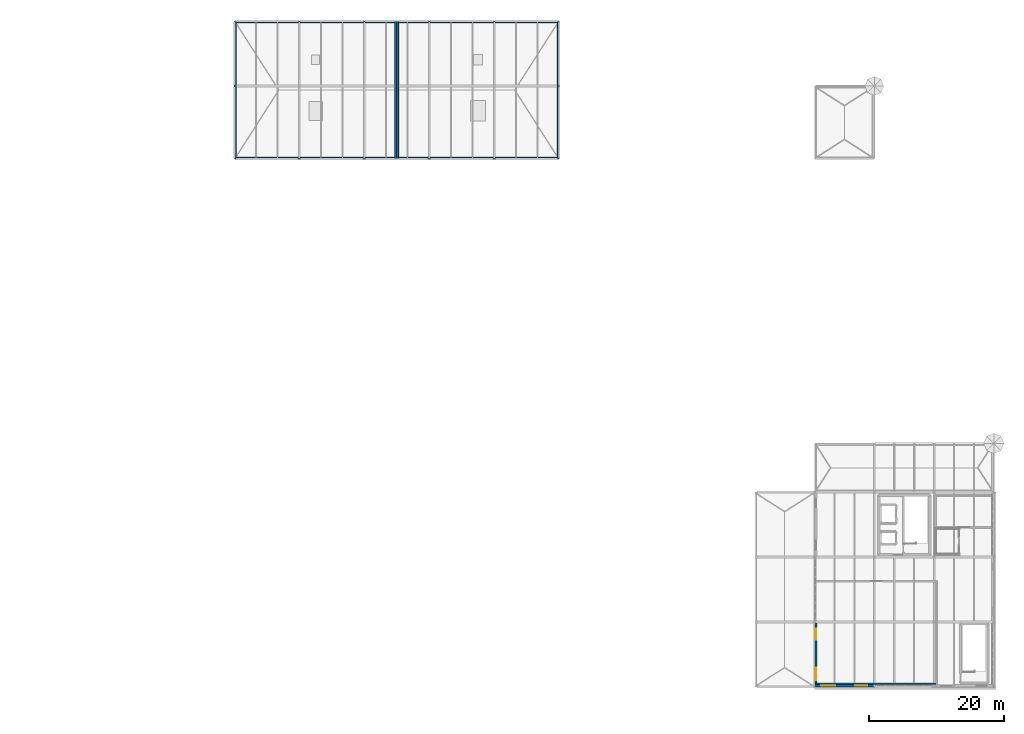
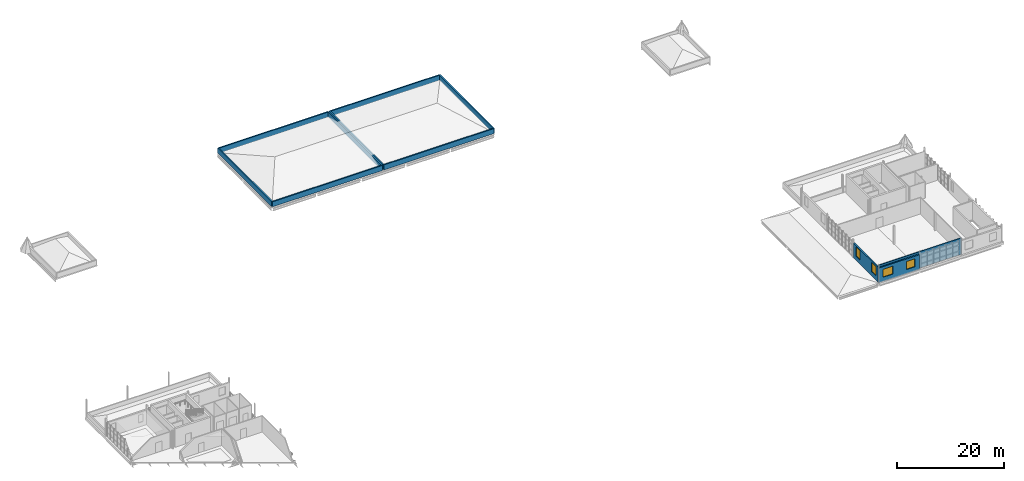
# One storey, part 23 of 28: 11 walls, 4 windows, 4 openings.
"""IFC4 building model written with IfcOpenShell, lengths in metres."""

from ifc_helpers import new_model, si_unit, direction, frame, frame_2d, origin, place, context, subcontext, project, spatial, rectangle, extrude, material, layer, layer_set, type_object, element, fill, save


model = new_model("IFC4")

# Units and contexts
model_context = context("Model", 3, precision=1e-05, world=origin(), true_north=direction((0.0, 1.0)))
body_context = subcontext(model_context, "Body", "Model", "MODEL_VIEW")
ifc_project = project(units=[si_unit("LENGTHUNIT", "METRE"), si_unit("AREAUNIT", "SQUARE_METRE"), si_unit("VOLUMEUNIT", "CUBIC_METRE"), si_unit("PLANEANGLEUNIT", "RADIAN"), si_unit("MASSUNIT", "GRAM", prefix="KILO")], contexts=[model_context])

# Site, building, storey
site_placement = place(None, origin())
site = spatial("IfcSite", under=ifc_project, at=site_placement, CompositionType="ELEMENT")
building_placement = place(site_placement, origin())
building = spatial("IfcBuilding", under=site, at=building_placement, Name="Yeouljin Market Hall", CompositionType="ELEMENT")
storey_placement = place(building_placement, frame((0.0, 0.0, 15.0)))
storey = spatial("IfcBuildingStorey", under=building, at=storey_placement, Name="L03", CompositionType="ELEMENT", Elevation=15.0)

# Wall
ifc_material_1 = material(Name="Gypsum Board Acoustic Partition")
ifc_layer_1 = layer(ifc_material_1, 0.169921875)
ifc_layer_set_1 = layer_set([ifc_layer_1], Name="Gypsum Board Acoustic Partition")
wall_type_1 = type_object("IfcWallType", Name="Part_Acoustic_170", PredefinedType="PARTITIONING", material=ifc_layer_set_1)
wall_1_placement = place(storey_placement, frame((150.10009765625, 0.5, 0.0), z_axis=(0.0, 0.0, 1.0), x_axis=(1.0, 0.0, 0.0)))
element("IfcWall", 1, at=wall_1_placement, inside=storey, type_object=wall_type_1, Name="Interior partition PART-L03-0169", PredefinedType="PARTITIONING", context=body_context, shape_type="SweptSolid", body=[
    extrude(rectangle(XDim=17.929931640625, YDim=0.169921875, at=frame_2d((8.96484375, 0.0))), origin(), (0.0, 0.0, 1.0), 3.719970703125),
])

# Wall, openings, windows
ifc_material_2 = material(Name="Clinker Brick Masonry F2-S2", Category="masonry")
ifc_layer_2 = layer(ifc_material_2, 0.31005859375)
ifc_layer_set_2 = layer_set([ifc_layer_2], Name="Clinker Brick Masonry F2-S2")
wall_type_2 = type_object("IfcWallType", Name="Wall_Ext_ClinkerSawtooth_310", PredefinedType="SOLIDWALL", material=ifc_layer_set_2)
wall_2_placement = place(storey_placement, frame((158.72802734375, 0.199951171875, 0.0), z_axis=(0.0, 0.0, 1.0), x_axis=(-1.0, 0.0, 0.0)))
wall_2 = element("IfcWall", 2, at=wall_2_placement, inside=storey, type_object=wall_type_2, Name="Exterior wall WE-L03-B12", PredefinedType="SOLIDWALL", context=body_context, shape_type="SweptSolid", body=[
    extrude(rectangle(XDim=8.805908203125, YDim=0.31005859375, at=frame_2d((4.40283203125, 0.0))), origin(), (0.0, 0.0, 1.0), 3.35009765625),
])
opening_1_placement = place(wall_2_placement, frame((1.028076171875, 0.0, 0.949951171875)))
opening_1 = element("IfcOpeningElement", 3, at=opening_1_placement, cuts=wall_2, Name="Opening WN-07", PredefinedType="OPENING", context=body_context, shape_type="SweptSolid", body=[
    extrude(rectangle(XDim=1.800048828125, YDim=1.800048828125, at=frame_2d((0.89990234375, 0.89990234375))), frame((0.0, 0.1650390625, 0.0), z_axis=(0.0, -1.0, 0.0), x_axis=(1.0, 0.0, 0.0)), (0.0, 0.0, 1.0), 0.330078125),
])
opening_2_placement = place(wall_2_placement, frame((5.72802734375, 0.0, 0.949951171875)))
opening_2 = element("IfcOpeningElement", 4, at=opening_2_placement, cuts=wall_2, Name="Opening WN-08", PredefinedType="OPENING", context=body_context, shape_type="SweptSolid", body=[
    extrude(rectangle(XDim=2.10009765625, YDim=1.800048828125, at=frame_2d((1.050048828125, 0.89990234375))), frame((0.0, 0.1650390625, 0.0), z_axis=(0.0, -1.0, 0.0), x_axis=(1.0, 0.0, 0.0)), (0.0, 0.0, 1.0), 0.330078125),
])
ifc_material_3 = material(Name="Low-E Insulated Glass", Category="glass")
window_type_1 = type_object("IfcWindowType", Name="Win_Ladder_1800x1800", PartitioningType="TRIPLE_PANEL_VERTICAL", PredefinedType="WINDOW", material=ifc_material_3)
window_1_placement = place(opening_1_placement, origin())
window_1 = element("IfcWindow", 5, at=window_1_placement, inside=storey, type_object=window_type_1, Name="Exterior window WIN-L03-B12A", OverallHeight=1.800048828125, OverallWidth=1.800048828125, PartitioningType="SINGLE_PANEL", PredefinedType="WINDOW", context=body_context, shape_type="SweptSolid", body=[
    extrude(rectangle(XDim=1.800048828125, YDim=1.800048828125, at=frame_2d((0.89990234375, 0.89990234375))), frame((0.0, 0.030029296875, 0.0), z_axis=(0.0, -1.0, 0.0), x_axis=(1.0, 0.0, 0.0)), (0.0, 0.0, 1.0), 0.06005859375),
])
fill(opening_1, window_1)
ifc_material_4 = material(Name="Low-E Insulated Glass", Category="glass")
window_type_2 = type_object("IfcWindowType", Name="Win_Ladder_2100x1800", PartitioningType="TRIPLE_PANEL_VERTICAL", PredefinedType="WINDOW", material=ifc_material_4)
window_2_placement = place(opening_2_placement, origin())
window_2 = element("IfcWindow", 6, at=window_2_placement, inside=storey, type_object=window_type_2, Name="Exterior window WIN-L03-B12B", OverallHeight=1.800048828125, OverallWidth=2.10009765625, PartitioningType="SINGLE_PANEL", PredefinedType="WINDOW", context=body_context, shape_type="SweptSolid", body=[
    extrude(rectangle(XDim=2.10009765625, YDim=1.800048828125, at=frame_2d((1.050048828125, 0.89990234375))), frame((0.0, 0.030029296875, 0.0), z_axis=(0.0, -1.0, 0.0), x_axis=(1.0, 0.0, 0.0)), (0.0, 0.0, 1.0), 0.06005859375),
])
fill(opening_2, window_2)

wall_3_placement = place(storey_placement, frame((150.10009765625, 9.468017578125, 0.0), z_axis=(0.0, 0.0, 1.0), x_axis=(0.0, -1.0, 0.0)))
wall_3 = element("IfcWall", 7, at=wall_3_placement, inside=storey, type_object=wall_type_2, Name="Exterior wall WE-L03-B18", PredefinedType="SOLIDWALL", context=body_context, shape_type="SweptSolid", body=[
    extrude(rectangle(XDim=9.117919921875, YDim=0.31005859375, at=frame_2d((4.55908203125, 0.0))), origin(), (0.0, 0.0, 1.0), 3.35009765625),
])
opening_3_placement = place(wall_3_placement, frame((0.867919921875, 0.0, 0.949951171875)))
opening_3 = element("IfcOpeningElement", 8, at=opening_3_placement, cuts=wall_3, Name="Opening WN-15", PredefinedType="OPENING", context=body_context, shape_type="SweptSolid", body=[
    extrude(rectangle(XDim=1.60009765625, YDim=2.10009765625, at=frame_2d((0.800048828125, 1.050048828125))), frame((0.0, 0.1650390625, 0.0), z_axis=(0.0, -1.0, 0.0), x_axis=(1.0, 0.0, 0.0)), (0.0, 0.0, 1.0), 0.330078125),
])
opening_4_placement = place(wall_3_placement, frame((6.617919921875, 0.0, 0.949951171875)))
opening_4 = element("IfcOpeningElement", 9, at=opening_4_placement, cuts=wall_3, Name="Opening WN-16", PredefinedType="OPENING", context=body_context, shape_type="SweptSolid", body=[
    extrude(rectangle(XDim=1.800048828125, YDim=2.10009765625, at=frame_2d((0.89990234375, 1.050048828125))), frame((0.0, 0.1650390625, 0.0), z_axis=(0.0, -1.0, 0.0), x_axis=(1.0, 0.0, 0.0)), (0.0, 0.0, 1.0), 0.330078125),
])
ifc_material_5 = material(Name="Low-E Insulated Glass", Category="glass")
window_type_3 = type_object("IfcWindowType", Name="Win_Ladder_1600x2100", PartitioningType="DOUBLE_PANEL_HORIZONTAL", PredefinedType="WINDOW", material=ifc_material_5)
window_3_placement = place(opening_3_placement, origin())
window_3 = element("IfcWindow", 10, at=window_3_placement, inside=storey, type_object=window_type_3, Name="Exterior window WIN-L03-B18A", OverallHeight=2.10009765625, OverallWidth=1.60009765625, PartitioningType="SINGLE_PANEL", PredefinedType="WINDOW", context=body_context, shape_type="SweptSolid", body=[
    extrude(rectangle(XDim=1.60009765625, YDim=2.10009765625, at=frame_2d((0.800048828125, 1.050048828125))), frame((0.0, 0.030029296875, 0.0), z_axis=(0.0, -1.0, 0.0), x_axis=(1.0, 0.0, 0.0)), (0.0, 0.0, 1.0), 0.06005859375),
])
fill(opening_3, window_3)
ifc_material_6 = material(Name="Low-E Insulated Glass", Category="glass")
window_type_4 = type_object("IfcWindowType", Name="Win_Ladder_1800x2100", PartitioningType="TRIPLE_PANEL_VERTICAL", PredefinedType="WINDOW", material=ifc_material_6)
window_4_placement = place(opening_4_placement, origin())
window_4 = element("IfcWindow", 11, at=window_4_placement, inside=storey, type_object=window_type_4, Name="Exterior window WIN-L03-B18B", OverallHeight=2.10009765625, OverallWidth=1.800048828125, PartitioningType="SINGLE_PANEL", PredefinedType="WINDOW", context=body_context, shape_type="SweptSolid", body=[
    extrude(rectangle(XDim=1.800048828125, YDim=2.10009765625, at=frame_2d((0.89990234375, 1.050048828125))), frame((0.0, 0.030029296875, 0.0), z_axis=(0.0, -1.0, 0.0), x_axis=(1.0, 0.0, 0.0)), (0.0, 0.0, 1.0), 0.06005859375),
])
fill(opening_4, window_4)

# Walls
ifc_material_7 = material(Name="Clinker Brick Masonry F2-S2", Category="masonry")
ifc_layer_3 = layer(ifc_material_7, 0.280029296875)
ifc_layer_set_3 = layer_set([ifc_layer_3], Name="Clinker Brick Masonry F2-S2")
wall_type_3 = type_object("IfcWallType", Name="Wall_Parapet_Clinker_280", PredefinedType="PARAPET", material=ifc_layer_set_3)
wall_4_placement = place(storey_placement, frame((64.340087890625, 78.139892578125, 0.010009765625), z_axis=(0.0, 0.0, 1.0), x_axis=(1.0, 0.0, 0.0)))
element("IfcWall", 12, at=wall_4_placement, inside=storey, type_object=wall_type_3, Name="Roof parapet RSLB-V4-MAIN1-1", PredefinedType="PARAPET", context=body_context, shape_type="SweptSolid", body=[
    extrude(rectangle(XDim=23.719970703125, YDim=0.280029296875, at=frame_2d((11.85986328125, 0.0))), origin(), (0.0, 0.0, 1.0), 1.14990234375),
])
wall_5_placement = place(storey_placement, frame((88.06005859375, 78.139892578125, 0.010009765625), z_axis=(0.0, 0.0, 1.0), x_axis=(0.0, 1.0, 0.0)))
element("IfcWall", 13, at=wall_5_placement, inside=storey, type_object=wall_type_3, Name="Roof parapet RSLB-V4-MAIN1-2", PredefinedType="PARAPET", context=body_context, shape_type="SweptSolid", body=[
    extrude(rectangle(XDim=20.1201171875, YDim=0.280029296875, at=frame_2d((10.06005859375, 0.0))), origin(), (0.0, 0.0, 1.0), 1.14990234375),
])
wall_6_placement = place(storey_placement, frame((88.06005859375, 98.260009765625, 0.010009765625), z_axis=(0.0, 0.0, 1.0), x_axis=(-1.0, 0.0, 0.0)))
element("IfcWall", 14, at=wall_6_placement, inside=storey, type_object=wall_type_3, Name="Roof parapet RSLB-V4-MAIN1-3", PredefinedType="PARAPET", context=body_context, shape_type="SweptSolid", body=[
    extrude(rectangle(XDim=23.719970703125, YDim=0.280029296875, at=frame_2d((11.85986328125, 0.0))), origin(), (0.0, 0.0, 1.0), 1.14990234375),
])
wall_7_placement = place(storey_placement, frame((64.340087890625, 98.260009765625, 0.010009765625), z_axis=(0.0, 0.0, 1.0), x_axis=(0.0, -1.0, 0.0)))
element("IfcWall", 15, at=wall_7_placement, inside=storey, type_object=wall_type_3, Name="Roof parapet RSLB-V4-MAIN1-4", PredefinedType="PARAPET", context=body_context, shape_type="SweptSolid", body=[
    extrude(rectangle(XDim=20.1201171875, YDim=0.280029296875, at=frame_2d((10.06005859375, 0.0))), origin(), (0.0, 0.0, 1.0), 1.14990234375),
])
wall_8_placement = place(storey_placement, frame((88.340087890625, 78.139892578125, 0.010009765625), z_axis=(0.0, 0.0, 1.0), x_axis=(1.0, 0.0, 0.0)))
element("IfcWall", 16, at=wall_8_placement, inside=storey, type_object=wall_type_3, Name="Roof parapet RSLB-V4-MAIN2-1", PredefinedType="PARAPET", context=body_context, shape_type="SweptSolid", body=[
    extrude(rectangle(XDim=23.719970703125, YDim=0.280029296875, at=frame_2d((11.85986328125, 0.0))), origin(), (0.0, 0.0, 1.0), 1.14990234375),
])
wall_9_placement = place(storey_placement, frame((112.06005859375, 78.139892578125, 0.010009765625), z_axis=(0.0, 0.0, 1.0), x_axis=(0.0, 1.0, 0.0)))
element("IfcWall", 17, at=wall_9_placement, inside=storey, type_object=wall_type_3, Name="Roof parapet RSLB-V4-MAIN2-2", PredefinedType="PARAPET", context=body_context, shape_type="SweptSolid", body=[
    extrude(rectangle(XDim=20.1201171875, YDim=0.280029296875, at=frame_2d((10.06005859375, 0.0))), origin(), (0.0, 0.0, 1.0), 1.14990234375),
])
wall_10_placement = place(storey_placement, frame((112.06005859375, 98.260009765625, 0.010009765625), z_axis=(0.0, 0.0, 1.0), x_axis=(-1.0, 0.0, 0.0)))
element("IfcWall", 18, at=wall_10_placement, inside=storey, type_object=wall_type_3, Name="Roof parapet RSLB-V4-MAIN2-3", PredefinedType="PARAPET", context=body_context, shape_type="SweptSolid", body=[
    extrude(rectangle(XDim=23.719970703125, YDim=0.280029296875, at=frame_2d((11.85986328125, 0.0))), origin(), (0.0, 0.0, 1.0), 1.14990234375),
])
wall_11_placement = place(storey_placement, frame((88.340087890625, 98.260009765625, 0.010009765625), z_axis=(0.0, 0.0, 1.0), x_axis=(0.0, -1.0, 0.0)))
element("IfcWall", 19, at=wall_11_placement, inside=storey, type_object=wall_type_3, Name="Roof parapet RSLB-V4-MAIN2-4", PredefinedType="PARAPET", context=body_context, shape_type="SweptSolid", body=[
    extrude(rectangle(XDim=20.1201171875, YDim=0.280029296875, at=frame_2d((10.06005859375, 0.0))), origin(), (0.0, 0.0, 1.0), 1.14990234375),
])

save(model, "model.ifc")
